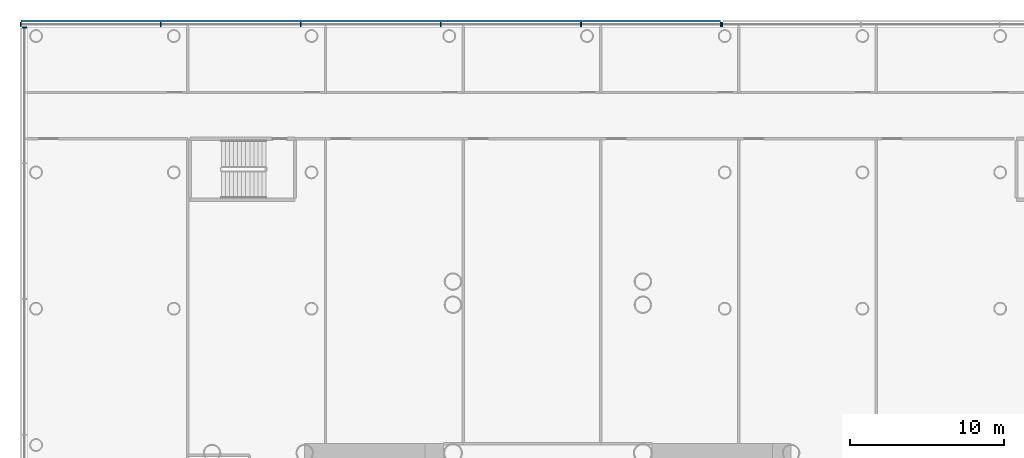
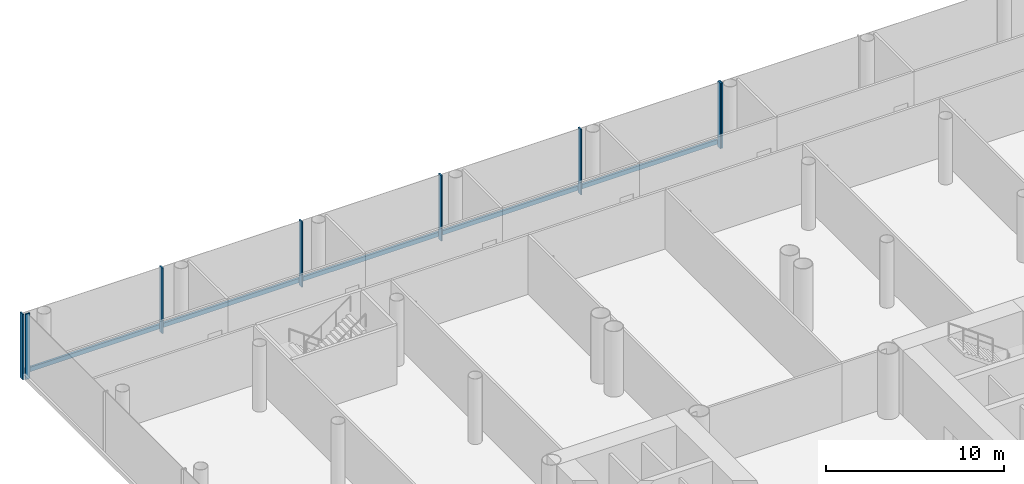
# One storey, part 10 of 49: 9 members, 3 elements without a shape of their own.
"""IFC4 building model written with IfcOpenShell, lengths in metres."""

from ifc_helpers import new_model, si_unit, direction, frame, origin, origin_2d, place, context, subcontext, project, spatial, rectangle, extrude, material, layer, layer_set, material_profile, profile_set, type_object, element, aggregate, save


model = new_model("IFC4")

# Units and contexts
model_context = context("Model", 3, precision=1e-05, world=origin(), true_north=direction((0.0, 1.0)))
body_context = subcontext(model_context, "Body", "Model", "MODEL_VIEW")
ifc_project = project(units=[si_unit("LENGTHUNIT", "METRE"), si_unit("AREAUNIT", "SQUARE_METRE"), si_unit("VOLUMEUNIT", "CUBIC_METRE"), si_unit("PLANEANGLEUNIT", "RADIAN"), si_unit("MASSUNIT", "GRAM", prefix="KILO")], contexts=[model_context])

# Site, building, storey
site_placement = place(None, origin())
site = spatial("IfcSite", under=ifc_project, at=site_placement, CompositionType="ELEMENT")
building_placement = place(site_placement, origin())
building = spatial("IfcBuilding", under=site, at=building_placement, Name="Ipe Terrace Towers", CompositionType="ELEMENT")
storey_placement = place(building_placement, frame((0.0, 0.0, 11.0)))
storey = spatial("IfcBuildingStorey", under=building, at=storey_placement, Name="L02", CompositionType="ELEMENT", Elevation=11.0)

# Curtain wall, member
ifc_material_1 = material(Name="Aluminium alloy 6063-T6", Category="aluminium")
ifc_layer = layer(ifc_material_1, 0.43994140625)
ifc_layer_set = layer_set([ifc_layer], Name="PODIUM GLAZING CURTAIN WALL")
curtain_wall_type = type_object("IfcCurtainWallType", Name="PODIUM GLAZING CURTAIN WALL", PredefinedType="NOTDEFINED", material=ifc_layer_set)
curtain_wall_1_placement = place(storey_placement, origin())
curtain_wall_1 = element("IfcCurtainWall", 1, at=curtain_wall_1_placement, inside=storey, type_object=curtain_wall_type, Name="POD-CW-L02-01b curtain wall", PredefinedType="NOTDEFINED")
ifc_material_2 = material(Name="Aluminium alloy 6063-T6", Category="aluminium")
ifc_material_profile_1 = material_profile(ifc_material_2, rectangle(XDim=0.300048828125, YDim=0.080078125, at=origin_2d()), Name="PODIUM GLAZING MULLION 300 x 80")
ifc_profile_set_1 = profile_set([ifc_material_profile_1], Name="Aluminium alloy 6063-T6")
member_type_1 = type_object("IfcMemberType", Name="PODIUM GLAZING MULLION 300 x 80", PredefinedType="MULLION", material=ifc_profile_set_1)
member_1_placement = place(storey_placement, frame((-24.7099609375, 33.89990234375, -0.300048828125), z_axis=(0.0, 0.0, 1.0), x_axis=(0.0, 1.0, 0.0)))
member_1 = element("IfcMember", 2, at=member_1_placement, type_object=member_type_1, Name="POD-CW-L02-01b mullion 6", PredefinedType="MULLION", context=body_context, shape_type="SweptSolid", body=[
    extrude(rectangle(XDim=0.300048828125, YDim=0.080078125, at=origin_2d()), origin(), (0.0, 0.0, 1.0), 4.5),
])
aggregate(curtain_wall_1, [member_1])

# Curtain wall, members
curtain_wall_2_placement = place(storey_placement, origin())
curtain_wall_2 = element("IfcCurtainWall", 3, at=curtain_wall_2_placement, inside=storey, type_object=curtain_wall_type, Name="POD-CW-L02-01c curtain wall", PredefinedType="NOTDEFINED")
member_2_placement = place(storey_placement, frame((-24.7900390625, 33.89990234375, -0.300048828125), z_axis=(0.0, 0.0, 1.0), x_axis=(0.0, 1.0, 0.0)))
member_2 = element("IfcMember", 4, at=member_2_placement, type_object=member_type_1, Name="POD-CW-L02-01c mullion 1", PredefinedType="MULLION", context=body_context, shape_type="SweptSolid", body=[
    extrude(rectangle(XDim=0.300048828125, YDim=0.080078125, at=origin_2d()), origin(), (0.0, 0.0, 1.0), 4.5),
])
member_3_placement = place(storey_placement, frame((-33.862060546875, 33.89990234375, -0.300048828125), z_axis=(0.0, 0.0, 1.0), x_axis=(0.0, 1.0, 0.0)))
member_3 = element("IfcMember", 5, at=member_3_placement, type_object=member_type_1, Name="POD-CW-L02-01c mullion 2", PredefinedType="MULLION", context=body_context, shape_type="SweptSolid", body=[
    extrude(rectangle(XDim=0.300048828125, YDim=0.080078125, at=origin_2d()), origin(), (0.0, 0.0, 1.0), 4.5),
])
member_4_placement = place(storey_placement, frame((-42.93408203125, 33.89990234375, -0.300048828125), z_axis=(0.0, 0.0, 1.0), x_axis=(0.0, 1.0, 0.0)))
member_4 = element("IfcMember", 6, at=member_4_placement, type_object=member_type_1, Name="POD-CW-L02-01c mullion 3", PredefinedType="MULLION", context=body_context, shape_type="SweptSolid", body=[
    extrude(rectangle(XDim=0.300048828125, YDim=0.080078125, at=origin_2d()), origin(), (0.0, 0.0, 1.0), 4.5),
])
member_5_placement = place(storey_placement, frame((-52.006103515625, 33.89990234375, -0.300048828125), z_axis=(0.0, 0.0, 1.0), x_axis=(0.0, 1.0, 0.0)))
member_5 = element("IfcMember", 7, at=member_5_placement, type_object=member_type_1, Name="POD-CW-L02-01c mullion 4", PredefinedType="MULLION", context=body_context, shape_type="SweptSolid", body=[
    extrude(rectangle(XDim=0.300048828125, YDim=0.080078125, at=origin_2d()), origin(), (0.0, 0.0, 1.0), 4.5),
])
member_6_placement = place(storey_placement, frame((-61.077880859375, 33.89990234375, -0.300048828125), z_axis=(0.0, 0.0, 1.0), x_axis=(0.0, 1.0, 0.0)))
member_6 = element("IfcMember", 8, at=member_6_placement, type_object=member_type_1, Name="POD-CW-L02-01c mullion 5", PredefinedType="MULLION", context=body_context, shape_type="SweptSolid", body=[
    extrude(rectangle(XDim=0.300048828125, YDim=0.080078125, at=origin_2d()), origin(), (0.0, 0.0, 1.0), 4.5),
])
member_7_placement = place(storey_placement, frame((-70.14990234375, 33.89990234375, -0.300048828125), z_axis=(0.0, 0.0, 1.0), x_axis=(0.0, 1.0, 0.0)))
member_7 = element("IfcMember", 9, at=member_7_placement, type_object=member_type_1, Name="POD-CW-L02-01c mullion 6", PredefinedType="MULLION", context=body_context, shape_type="SweptSolid", body=[
    extrude(rectangle(XDim=0.300048828125, YDim=0.080078125, at=origin_2d()), origin(), (0.0, 0.0, 1.0), 4.5),
])

# Curtain wall, member
curtain_wall_3_placement = place(storey_placement, origin())
curtain_wall_3 = element("IfcCurtainWall", 10, at=curtain_wall_3_placement, inside=storey, type_object=curtain_wall_type, Name="POD-CW-L02-02a curtain wall", PredefinedType="NOTDEFINED")
member_8_placement = place(storey_placement, frame((-69.89990234375, 33.7099609375, -0.300048828125), z_axis=(0.0, 0.0, 1.0), x_axis=(-1.0, 0.0, 0.0)))
member_8 = element("IfcMember", 11, at=member_8_placement, type_object=member_type_1, Name="POD-CW-L02-02a mullion 1", PredefinedType="MULLION", context=body_context, shape_type="SweptSolid", body=[
    extrude(rectangle(XDim=0.300048828125, YDim=0.080078125, at=origin_2d()), origin(), (0.0, 0.0, 1.0), 4.5),
])
aggregate(curtain_wall_3, [member_8])

# Member
ifc_material_3 = material(Name="Aluminium alloy 6063-T6", Category="aluminium")
ifc_material_profile_2 = material_profile(ifc_material_3, rectangle(XDim=0.139892578125, YDim=0.300048828125, at=origin_2d()), Name="PODIUM GLAZING TRANSOM 140 x 300")
ifc_profile_set_2 = profile_set([ifc_material_profile_2], Name="Aluminium alloy 6063-T6")
member_type_2 = type_object("IfcMemberType", Name="PODIUM GLAZING TRANSOM 140 x 300", PredefinedType="USERDEFINED", material=ifc_profile_set_2)
member_9_placement = place(storey_placement, frame((-24.830078125, 34.1201171875, 0.0), z_axis=(-1.0, 0.0, 0.0), x_axis=(0.0, 1.0, 0.0)))
member_9 = element("IfcMember", 12, at=member_9_placement, type_object=member_type_2, Name="POD-CW-L02-01c transom", ObjectType="TRANSOM", PredefinedType="USERDEFINED", context=body_context, shape_type="SweptSolid", body=[
    extrude(rectangle(XDim=0.139892578125, YDim=0.300048828125, at=origin_2d()), origin(), (0.0, 0.0, 1.0), 45.280029296875),
])

aggregate(curtain_wall_2, [member_2, member_3, member_4, member_5, member_6, member_7, member_9])

save(model, "model.ifc")
